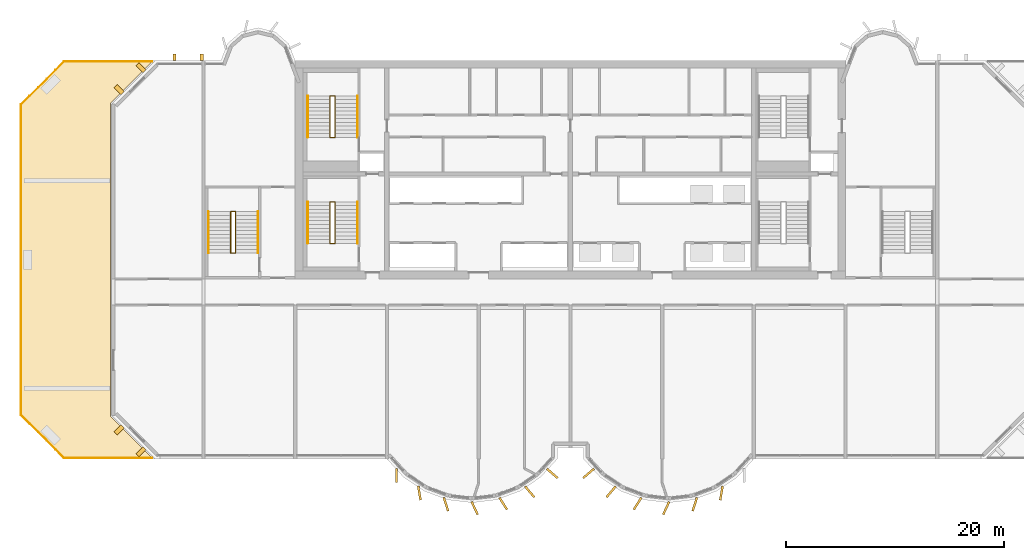
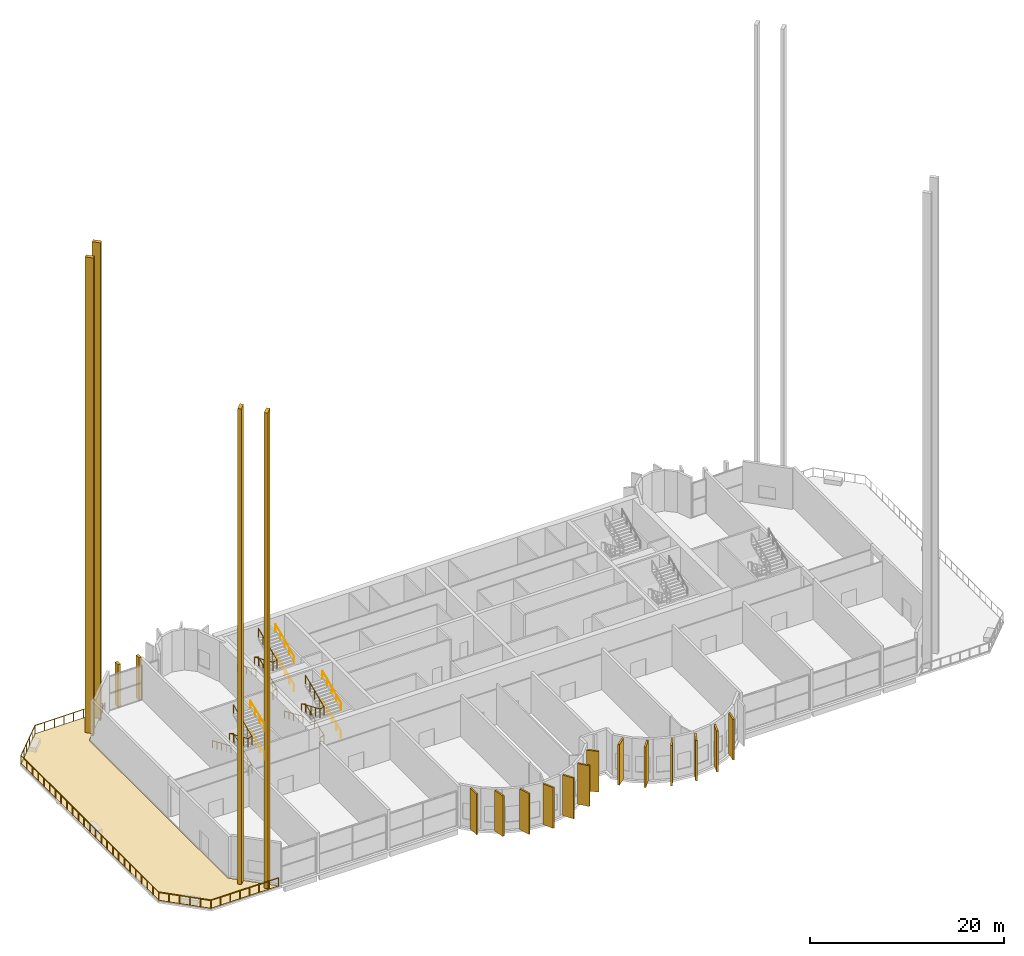
# One storey, part 16 of 19: 20 coverings, 13 railings.
"""IFC4 building model written with IfcOpenShell, lengths in metres."""

from ifc_helpers import new_model, si_unit, direction, frame, origin, origin_2d, place, context, subcontext, project, spatial, polyline, rectangle, circle, outline, extrude, source, transform, mapped, material, layer, layer_set, material_profile, profile_set, type_object, element, save


model = new_model("IFC4")

# Units and contexts
model_context = context("Model", 3, precision=1e-05, world=origin(), true_north=direction((0.0, 1.0)))
body_context = subcontext(model_context, "Body", "Model", "MODEL_VIEW")
ifc_project = project(units=[si_unit("LENGTHUNIT", "METRE"), si_unit("AREAUNIT", "SQUARE_METRE"), si_unit("VOLUMEUNIT", "CUBIC_METRE"), si_unit("PLANEANGLEUNIT", "RADIAN"), si_unit("MASSUNIT", "GRAM", prefix="KILO")], contexts=[model_context])

# Site, building, storey
site_placement = place(None, origin())
site = spatial("IfcSite", under=ifc_project, at=site_placement, CompositionType="ELEMENT")
building_placement = place(site_placement, origin())
building = spatial("IfcBuilding", under=site, at=building_placement, Name="Vanashikhar Sky Hotel", CompositionType="ELEMENT")
storey_placement = place(building_placement, frame((0.0, 0.0, 146.199951171875)))
storey = spatial("IfcBuildingStorey", under=building, at=storey_placement, Name="L35", CompositionType="ELEMENT", Elevation=146.199951171875)

# Coverings
ifc_material_1 = material(Name="Concrete M60 dark", Category="concrete")
ifc_material_profile_1 = material_profile(ifc_material_1, rectangle(XDim=1.300048828125, YDim=0.199951171875, at=origin_2d()))
ifc_profile_set_1 = profile_set([ifc_material_profile_1], Name="Fin 1300 x 200")
covering_type_1 = type_object("IfcCoveringType", Name="Fin 1300 x 200", PredefinedType="CLADDING", material=ifc_profile_set_1)
shared_shape_1 = source(origin(), body_context, "Body", "SweptSolid", [
    extrude(rectangle(XDim=1.300048828125, YDim=0.199951171875, at=origin_2d()), origin(), (0.0, 0.0, 1.0), 5.1201171875),
])
for number, where, z_axis, x_axis, name in (
    (1, (34.482421875, 3.992919921875, 0.0), (0.0, 0.0, 1.0), (0.011588726826, -0.999932848451, 0.0), "Fin F1-1"),
    (2, (36.572509765625, 2.3779296875, 0.0), (0.0, 0.0, 1.0), (0.16989991575, -0.985461322746, 0.0), "Fin F1-2"),
    (3, (39.00830078125, 1.35693359375, 0.0), (0.0, 0.0, 1.0), (0.303966551867, -0.952682704444, 0.0), "Fin F1-3"),
    (4, (41.63232421875, 1.00146484375, 0.0), (0.0, 0.0, 1.0), (0.422618261741, -0.906307787037, 0.0), "Fin F1-4"),
    (5, (44.251953125, 1.416015625, 0.0), (0.0, 0.0, 1.0), (0.534411358496, -0.845224526331, 0.0), "Fin F1-5"),
    (6, (46.676025390625, 2.5, 0.0), (0.0, 0.0, 1.0), (0.645697609467, -0.763593214433, 0.0), "Fin F1-6"),
    (7, (48.7412109375, 4.1845703125, 0.0), (0.0, 0.0, 1.0), (0.758543912032, -0.65162192529, 0.0), "Fin F1-7"),
    (8, (52.058837890625, 4.1845703125, 0.0), (0.0, 0.0, 1.0), (-0.758543912032, -0.65162192529, 0.0), "Fin F2-1"),
    (9, (54.123779296875, 2.5, 0.0), (0.0, 0.0, 1.0), (-0.645697609467, -0.763593214433, 0.0), "Fin F2-2"),
    (10, (56.547119140625, 1.416015625, 0.0), (0.0, 0.0, 1.0), (-0.534411358496, -0.845224526331, 0.0), "Fin F2-3"),
    (11, (59.16748046875, 1.00146484375, 0.0), (0.0, 0.0, 1.0), (-0.422618261741, -0.906307787037, 0.0), "Fin F2-4"),
    (12, (61.790771484375, 1.35693359375, 0.0), (0.0, 0.0, 1.0), (-0.303966551867, -0.952682704444, 0.0), "Fin F2-5"),
    (13, (64.2275390625, 2.3779296875, 0.0), (0.0, 0.0, 1.0), (-0.16989991575, -0.985461322746, 0.0), "Fin F2-6"),
):
    element("IfcCovering", number, at=place(storey_placement, frame(where, z_axis=z_axis, x_axis=x_axis)), inside=storey, type_object=covering_type_1, Name=name, PredefinedType="CLADDING", context=body_context, shape_type="MappedRepresentation", body=[
        mapped(shared_shape_1, transform((0.0, 0.0, 0.0), scale=1.0)),
    ])

# Railing
ifc_material_2 = material(Name="Stainless steel 316", Category="steel")
railing_type_1 = type_object("IfcRailingType", Name="Terrace guard 1100", PredefinedType="GUARDRAIL", material=ifc_material_2)
shared_shape_2 = source(origin(), body_context, "Body", "SweptSolid", [
    extrude(circle(Radius=0.02392578125, at=origin_2d()), frame((0.0, 0.0, 1.076171875), z_axis=(-1.0, 0.0, 0.0), x_axis=(0.0, -1.0, 0.0)), (0.0, 0.0, 1.0), 8.0576171875),
    extrude(circle(Radius=0.02392578125, at=origin_2d()), frame((-8.0576171875, 0.0, 1.076171875), z_axis=(-0.707106781187, 0.707106781187, 0.0), x_axis=(-0.707106781187, -0.707106781187, 0.0)), (0.0, 0.0, 1.0), 5.572509765625),
    extrude(circle(Radius=0.02392578125, at=origin_2d()), frame((-11.998046875, 3.9404296875, 1.076171875), z_axis=(0.0, 1.0, 0.0), x_axis=(-1.0, 0.0, 0.0)), (0.0, 0.0, 1.0), 28.4150390625),
    extrude(circle(Radius=0.02392578125, at=origin_2d()), frame((-11.998046875, 32.35546875, 1.076171875), z_axis=(0.707106781187, 0.707106781187, 0.0), x_axis=(-0.707106781187, 0.707106781187, 0.0)), (0.0, 0.0, 1.0), 5.572509765625),
    extrude(circle(Radius=0.02392578125, at=origin_2d()), frame((-8.0576171875, 36.2958984375, 1.076171875), z_axis=(1.0, 0.0, 0.0), x_axis=(0.0, 1.0, 0.0)), (0.0, 0.0, 1.0), 8.0576171875),
    extrude(circle(Radius=0.02099609375, at=origin_2d()), origin(), (0.0, 0.0, 1.0), 1.052001953125),
    extrude(circle(Radius=0.02099609375, at=origin_2d()), frame((-1.151123046875, 0.0, 0.0)), (0.0, 0.0, 1.0), 1.052001953125),
    extrude(circle(Radius=0.02099609375, at=origin_2d()), frame((-2.30224609375, 0.0, 0.0)), (0.0, 0.0, 1.0), 1.052001953125),
    extrude(circle(Radius=0.02099609375, at=origin_2d()), frame((-3.453369140625, 0.0, 0.0)), (0.0, 0.0, 1.0), 1.052001953125),
    extrude(circle(Radius=0.02099609375, at=origin_2d()), frame((-4.604248046875, 0.0, 0.0)), (0.0, 0.0, 1.0), 1.052001953125),
    extrude(circle(Radius=0.02099609375, at=origin_2d()), frame((-5.75537109375, 0.0, 0.0)), (0.0, 0.0, 1.0), 1.052001953125),
    extrude(circle(Radius=0.02099609375, at=origin_2d()), frame((-6.906494140625, 0.0, 0.0)), (0.0, 0.0, 1.0), 1.052001953125),
    extrude(circle(Radius=0.02099609375, at=origin_2d()), frame((-8.0576171875, 0.0, 0.0)), (0.0, 0.0, 1.0), 1.052001953125),
    extrude(circle(Radius=0.02099609375, at=origin_2d()), frame((-8.845703125, 0.7880859375, 0.0)), (0.0, 0.0, 1.0), 1.052001953125),
    extrude(circle(Radius=0.02099609375, at=origin_2d()), frame((-9.6337890625, 1.576171875, 0.0)), (0.0, 0.0, 1.0), 1.052001953125),
    extrude(circle(Radius=0.02099609375, at=origin_2d()), frame((-10.421875, 2.3642578125, 0.0)), (0.0, 0.0, 1.0), 1.052001953125),
    extrude(circle(Radius=0.02099609375, at=origin_2d()), frame((-11.2099609375, 3.15234375, 0.0)), (0.0, 0.0, 1.0), 1.052001953125),
    extrude(circle(Radius=0.02099609375, at=origin_2d()), frame((-11.998046875, 3.9404296875, 0.0)), (0.0, 0.0, 1.0), 1.052001953125),
    extrude(circle(Radius=0.02099609375, at=origin_2d()), frame((-11.998046875, 5.12451171875, 0.0)), (0.0, 0.0, 1.0), 1.052001953125),
    extrude(circle(Radius=0.02099609375, at=origin_2d()), frame((-11.998046875, 6.308349609375, 0.0)), (0.0, 0.0, 1.0), 1.052001953125),
    extrude(circle(Radius=0.02099609375, at=origin_2d()), frame((-11.998046875, 7.4921875, 0.0)), (0.0, 0.0, 1.0), 1.052001953125),
    extrude(circle(Radius=0.02099609375, at=origin_2d()), frame((-11.998046875, 8.67626953125, 0.0)), (0.0, 0.0, 1.0), 1.052001953125),
    extrude(circle(Radius=0.02099609375, at=origin_2d()), frame((-11.998046875, 9.8603515625, 0.0)), (0.0, 0.0, 1.0), 1.052001953125),
    extrude(circle(Radius=0.02099609375, at=origin_2d()), frame((-11.998046875, 11.044189453125, 0.0)), (0.0, 0.0, 1.0), 1.052001953125),
    extrude(circle(Radius=0.02099609375, at=origin_2d()), frame((-11.998046875, 12.22802734375, 0.0)), (0.0, 0.0, 1.0), 1.052001953125),
    extrude(circle(Radius=0.02099609375, at=origin_2d()), frame((-11.998046875, 13.412109375, 0.0)), (0.0, 0.0, 1.0), 1.052001953125),
    extrude(circle(Radius=0.02099609375, at=origin_2d()), frame((-11.998046875, 14.59619140625, 0.0)), (0.0, 0.0, 1.0), 1.052001953125),
    extrude(circle(Radius=0.02099609375, at=origin_2d()), frame((-11.998046875, 15.780029296875, 0.0)), (0.0, 0.0, 1.0), 1.052001953125),
    extrude(circle(Radius=0.02099609375, at=origin_2d()), frame((-11.998046875, 16.9638671875, 0.0)), (0.0, 0.0, 1.0), 1.052001953125),
    extrude(circle(Radius=0.02099609375, at=origin_2d()), frame((-11.998046875, 18.14794921875, 0.0)), (0.0, 0.0, 1.0), 1.052001953125),
    extrude(circle(Radius=0.02099609375, at=origin_2d()), frame((-11.998046875, 19.33203125, 0.0)), (0.0, 0.0, 1.0), 1.052001953125),
    extrude(circle(Radius=0.02099609375, at=origin_2d()), frame((-11.998046875, 20.515869140625, 0.0)), (0.0, 0.0, 1.0), 1.052001953125),
    extrude(circle(Radius=0.02099609375, at=origin_2d()), frame((-11.998046875, 21.69970703125, 0.0)), (0.0, 0.0, 1.0), 1.052001953125),
    extrude(circle(Radius=0.02099609375, at=origin_2d()), frame((-11.998046875, 22.8837890625, 0.0)), (0.0, 0.0, 1.0), 1.052001953125),
    extrude(circle(Radius=0.02099609375, at=origin_2d()), frame((-11.998046875, 24.06787109375, 0.0)), (0.0, 0.0, 1.0), 1.052001953125),
    extrude(circle(Radius=0.02099609375, at=origin_2d()), frame((-11.998046875, 25.251708984375, 0.0)), (0.0, 0.0, 1.0), 1.052001953125),
    extrude(circle(Radius=0.02099609375, at=origin_2d()), frame((-11.998046875, 26.435546875, 0.0)), (0.0, 0.0, 1.0), 1.052001953125),
    extrude(circle(Radius=0.02099609375, at=origin_2d()), frame((-11.998046875, 27.61962890625, 0.0)), (0.0, 0.0, 1.0), 1.052001953125),
    extrude(circle(Radius=0.02099609375, at=origin_2d()), frame((-11.998046875, 28.8037109375, 0.0)), (0.0, 0.0, 1.0), 1.052001953125),
    extrude(circle(Radius=0.02099609375, at=origin_2d()), frame((-11.998046875, 29.987548828125, 0.0)), (0.0, 0.0, 1.0), 1.052001953125),
    extrude(circle(Radius=0.02099609375, at=origin_2d()), frame((-11.998046875, 31.17138671875, 0.0)), (0.0, 0.0, 1.0), 1.052001953125),
    extrude(circle(Radius=0.02099609375, at=origin_2d()), frame((-11.998046875, 32.35546875, 0.0)), (0.0, 0.0, 1.0), 1.052001953125),
    extrude(circle(Radius=0.02099609375, at=origin_2d()), frame((-11.2099609375, 33.1435546875, 0.0)), (0.0, 0.0, 1.0), 1.052001953125),
    extrude(circle(Radius=0.02099609375, at=origin_2d()), frame((-10.421875, 33.931640625, 0.0)), (0.0, 0.0, 1.0), 1.052001953125),
    extrude(circle(Radius=0.02099609375, at=origin_2d()), frame((-9.6337890625, 34.7197265625, 0.0)), (0.0, 0.0, 1.0), 1.052001953125),
    extrude(circle(Radius=0.02099609375, at=origin_2d()), frame((-8.845703125, 35.5078125, 0.0)), (0.0, 0.0, 1.0), 1.052001953125),
    extrude(circle(Radius=0.02099609375, at=origin_2d()), frame((-8.0576171875, 36.2958984375, 0.0)), (0.0, 0.0, 1.0), 1.052001953125),
    extrude(circle(Radius=0.02099609375, at=origin_2d()), frame((-6.906494140625, 36.2958984375, 0.0)), (0.0, 0.0, 1.0), 1.052001953125),
    extrude(circle(Radius=0.02099609375, at=origin_2d()), frame((-5.75537109375, 36.2958984375, 0.0)), (0.0, 0.0, 1.0), 1.052001953125),
    extrude(circle(Radius=0.02099609375, at=origin_2d()), frame((-4.604248046875, 36.2958984375, 0.0)), (0.0, 0.0, 1.0), 1.052001953125),
    extrude(circle(Radius=0.02099609375, at=origin_2d()), frame((-3.453369140625, 36.2958984375, 0.0)), (0.0, 0.0, 1.0), 1.052001953125),
    extrude(circle(Radius=0.02099609375, at=origin_2d()), frame((-2.30224609375, 36.2958984375, 0.0)), (0.0, 0.0, 1.0), 1.052001953125),
    extrude(circle(Radius=0.02099609375, at=origin_2d()), frame((-1.151123046875, 36.2958984375, 0.0)), (0.0, 0.0, 1.0), 1.052001953125),
    extrude(circle(Radius=0.02099609375, at=origin_2d()), frame((0.0, 36.2958984375, 0.0)), (0.0, 0.0, 1.0), 1.052001953125),
])
railing_1_placement = place(storey_placement, frame((12.10009765625, 5.60205078125, -0.050048828125)))
element("IfcRailing", 14, at=railing_1_placement, inside=storey, type_object=railing_type_1, Name="Terrace guard", PredefinedType="GUARDRAIL", context=body_context, shape_type="MappedRepresentation", body=[
    mapped(shared_shape_2, transform((0.0, 0.0, 0.0), scale=1.0)),
])

# Coverings
ifc_material_profile_2 = material_profile(ifc_material_1, rectangle(XDim=0.60009765625, YDim=0.300048828125, at=origin_2d()))
ifc_profile_set_2 = profile_set([ifc_material_profile_2], Name="Rear rib 600 x 300")
covering_type_2 = type_object("IfcCoveringType", Name="Rear rib 600 x 300", PredefinedType="CLADDING", material=ifc_profile_set_2)
shared_shape_3 = source(origin(), body_context, "Body", "SweptSolid", [
    extrude(rectangle(XDim=0.60009765625, YDim=0.300048828125, at=origin_2d()), origin(), (0.0, 0.0, 1.0), 5.400146484375),
])
for number, where, z_axis, x_axis, name in (
    (15, (14.14990234375, 42.300048828125, -0.280029296875), (0.0, 0.0, 1.0), (0.0, 1.0, 0.0), "Rear rib"),
    (16, (16.64990234375, 42.300048828125, -0.280029296875), (0.0, 0.0, 1.0), (0.0, 1.0, 0.0), "Rear rib"),
):
    element("IfcCovering", number, at=place(storey_placement, frame(where, z_axis=z_axis, x_axis=x_axis)), inside=storey, type_object=covering_type_2, Name=name, PredefinedType="CLADDING", context=body_context, shape_type="MappedRepresentation", body=[
        mapped(shared_shape_3, transform((0.0, 0.0, 0.0), scale=1.0)),
    ])
ifc_material_profile_3 = material_profile(ifc_material_1, rectangle(XDim=0.89990234375, YDim=0.39990234375, at=origin_2d()))
ifc_profile_set_3 = profile_set([ifc_material_profile_3], Name="Chamfer fin 900 x 400")
covering_type_3 = type_object("IfcCoveringType", Name="Chamfer fin 900 x 400", PredefinedType="CLADDING", material=ifc_profile_set_3)
shared_shape_4 = source(origin(), body_context, "Body", "SweptSolid", [
    extrude(rectangle(XDim=0.89990234375, YDim=0.39990234375, at=origin_2d()), origin(), (0.0, 0.0, 1.0), 60.2001953125),
])
for number, where, z_axis, x_axis, name in (
    (17, (11.081787109375, 41.318115234375, -0.280029296875), (0.0, 0.0, 1.0), (-0.707106781187, 0.707106781187, 0.0), "Chamfer fin"),
    (18, (9.081787109375, 39.318115234375, -0.280029296875), (0.0, 0.0, 1.0), (-0.707106781187, 0.707106781187, 0.0), "Chamfer fin"),
    (19, (9.081787109375, 8.181884765625, -0.280029296875), (0.0, 0.0, 1.0), (-0.707106781187, -0.707106781187, 0.0), "Chamfer fin"),
    (20, (11.081787109375, 6.181884765625, -0.280029296875), (0.0, 0.0, 1.0), (-0.707106781187, -0.707106781187, 0.0), "Chamfer fin"),
):
    element("IfcCovering", number, at=place(storey_placement, frame(where, z_axis=z_axis, x_axis=x_axis)), inside=storey, type_object=covering_type_3, Name=name, PredefinedType="CLADDING", context=body_context, shape_type="MappedRepresentation", body=[
        mapped(shared_shape_4, transform((0.0, 0.0, 0.0), scale=1.0)),
    ])
ifc_material_3 = material(Name="Paving stone", Category="masonry")
ifc_layer = layer(ifc_material_3, 0.050048828125)
ifc_layer_set = layer_set([ifc_layer], Name="Paving stone 50")
covering_type_4 = type_object("IfcCoveringType", Name="Paving stone 50", PredefinedType="FLOORING", material=ifc_layer_set)
shared_shape_5 = source(origin(), body_context, "Body", "SweptSolid", [
    extrude(outline(polyline([(12.105224609375, 5.6220703125), (4.05078125, 5.6220703125), (0.1220703125, 9.55078125), (0.1220703125, 37.94921875), (4.05078125, 41.8779296875), (12.105224609375, 41.8779296875), (8.278076171875, 38.05078125), (8.278076171875, 9.44921875), (12.105224609375, 5.6220703125)])), origin(), (0.0, 0.0, 1.0), 0.050048828125),
])
covering_placement = place(storey_placement, frame((0.0, 0.0, -0.050048828125)))
element("IfcCovering", 21, at=covering_placement, inside=storey, type_object=covering_type_4, Name="Terrace paving", PredefinedType="FLOORING", context=body_context, shape_type="MappedRepresentation", body=[
    mapped(shared_shape_5, transform((0.0, 0.0, 0.0), scale=1.0)),
])

# Railings
ifc_material_4 = material(Name="Steel S355", Category="steel")
railing_type_2 = type_object("IfcRailingType", Name="Stair handrail 900", PredefinedType="HANDRAIL", material=ifc_material_4)
shared_shape_6 = source(origin(), body_context, "Body", "SweptSolid", [
    extrude(circle(Radius=0.02392578125, at=origin_2d()), frame((0.0, 0.0, 0.8759765625), z_axis=(0.0, -0.917250781605, 0.398310185215), x_axis=(1.0, 0.0, 0.0)), (0.0, 0.0, 1.0), 4.142822265625),
    extrude(circle(Radius=0.02099609375, at=origin_2d()), origin(), (0.0, 0.0, 1.0), 0.851806640625),
    extrude(circle(Radius=0.02099609375, at=origin_2d()), frame((0.0, -0.949951171875, 0.41259765625)), (0.0, 0.0, 1.0), 0.851806640625),
    extrude(circle(Radius=0.02099609375, at=origin_2d()), frame((0.0, -1.89990234375, 0.8251953125)), (0.0, 0.0, 1.0), 0.851806640625),
    extrude(circle(Radius=0.02099609375, at=origin_2d()), frame((0.0, -2.85009765625, 1.237548828125)), (0.0, 0.0, 1.0), 0.851806640625),
    extrude(circle(Radius=0.02099609375, at=origin_2d()), frame((0.0, -3.800048828125, 1.650146484375)), (0.0, 0.0, 1.0), 0.851806640625),
])
for number, where, name in (
    (22, (26.35009765625, 29.050048828125, 1.949951171875), "Exit stair 1 handrail"),
    (23, (26.35009765625, 38.75, 1.949951171875), "Exit stair 5 handrail"),
):
    element("IfcRailing", number, at=place(storey_placement, frame(where)), inside=storey, type_object=railing_type_2, Name=name, PredefinedType="HANDRAIL", context=body_context, shape_type="MappedRepresentation", body=[
        mapped(shared_shape_6, transform((0.0, 0.0, 0.0), scale=1.0)),
    ])
shared_shape_7 = source(origin(), body_context, "Body", "SweptSolid", [
    extrude(circle(Radius=0.02392578125, at=origin_2d()), frame((0.0, 0.0, 0.8759765625), z_axis=(0.0, 0.917250781605, 0.398310185215), x_axis=(-1.0, 0.0, 0.0)), (0.0, 0.0, 1.0), 4.142822265625),
    extrude(circle(Radius=0.02099609375, at=origin_2d()), origin(), (0.0, 0.0, 1.0), 0.851806640625),
    extrude(circle(Radius=0.02099609375, at=origin_2d()), frame((0.0, 0.949951171875, 0.41259765625)), (0.0, 0.0, 1.0), 0.851806640625),
    extrude(circle(Radius=0.02099609375, at=origin_2d()), frame((0.0, 1.89990234375, 0.8251953125)), (0.0, 0.0, 1.0), 0.851806640625),
    extrude(circle(Radius=0.02099609375, at=origin_2d()), frame((0.0, 2.85009765625, 1.237548828125)), (0.0, 0.0, 1.0), 0.851806640625),
    extrude(circle(Radius=0.02099609375, at=origin_2d()), frame((0.0, 3.800048828125, 1.650146484375)), (0.0, 0.0, 1.0), 0.851806640625),
])
for number, where, name in (
    (24, (30.89990234375, 25.25, 3.75), "Exit stair 1 handrail"),
    (25, (30.89990234375, 34.949951171875, 3.75), "Exit stair 5 handrail"),
):
    element("IfcRailing", number, at=place(storey_placement, frame(where)), inside=storey, type_object=railing_type_2, Name=name, PredefinedType="HANDRAIL", context=body_context, shape_type="MappedRepresentation", body=[
        mapped(shared_shape_7, transform((0.0, 0.0, 0.0), scale=1.0)),
    ])
shared_shape_8 = source(origin(), body_context, "Body", "SweptSolid", [
    extrude(circle(Radius=0.02392578125, at=origin_2d()), frame((0.0, 0.0, 0.8759765625), z_axis=(0.0, 0.91727231099, 0.398260602484), x_axis=(-1.0, 0.0, 0.0)), (0.0, 0.0, 1.0), 4.142822265625),
    extrude(circle(Radius=0.02099609375, at=origin_2d()), origin(), (0.0, 0.0, 1.0), 0.851806640625),
    extrude(circle(Radius=0.02099609375, at=origin_2d()), frame((0.0, 0.949951171875, 0.41259765625)), (0.0, 0.0, 1.0), 0.851806640625),
    extrude(circle(Radius=0.02099609375, at=origin_2d()), frame((0.0, 1.89990234375, 0.824951171875)), (0.0, 0.0, 1.0), 0.851806640625),
    extrude(circle(Radius=0.02099609375, at=origin_2d()), frame((0.0, 2.85009765625, 1.2373046875)), (0.0, 0.0, 1.0), 0.851806640625),
    extrude(circle(Radius=0.02099609375, at=origin_2d()), frame((0.0, 3.800048828125, 1.64990234375)), (0.0, 0.0, 1.0), 0.851806640625),
])
for number, where, name in (
    (26, (30.89990234375, 25.25, 0.150146484375), "Exit stair 1 handrail"),
    (27, (30.89990234375, 34.949951171875, 0.150146484375), "Exit stair 5 handrail"),
):
    element("IfcRailing", number, at=place(storey_placement, frame(where)), inside=storey, type_object=railing_type_2, Name=name, PredefinedType="HANDRAIL", context=body_context, shape_type="MappedRepresentation", body=[
        mapped(shared_shape_8, transform((0.0, 0.0, 0.0), scale=1.0)),
    ])
railing_type_3 = type_object("IfcRailingType", Name="Stair guard 1100", PredefinedType="GUARDRAIL", material=ifc_material_4)
shared_shape_9 = source(origin(), body_context, "Body", "SweptSolid", [
    extrude(circle(Radius=0.02392578125, at=origin_2d()), frame((0.0, 0.0, 1.076171875), z_axis=(0.948631841254, 0.0, 0.316382094561), x_axis=(0.0, 1.0, 0.0)), (0.0, 0.0, 1.0), 0.474609375),
    extrude(circle(Radius=0.02392578125, at=origin_2d()), frame((0.4501953125, 0.0, 1.22607421875), z_axis=(0.0, 0.91727231099, 0.398260602484), x_axis=(-1.0, 0.0, 0.0)), (0.0, 0.0, 1.0), 4.142822265625),
    extrude(circle(Radius=0.02392578125, at=origin_2d()), frame((0.4501953125, 3.800048828125, 2.8759765625), z_axis=(-0.948786153043, 0.0, 0.315919033605), x_axis=(0.0, -1.0, 0.0)), (0.0, 0.0, 1.0), 0.474609375),
    extrude(circle(Radius=0.02392578125, at=origin_2d()), frame((0.0, 3.800048828125, 3.02587890625), z_axis=(0.0, -0.917250781605, 0.398310185215), x_axis=(1.0, 0.0, 0.0)), (0.0, 0.0, 1.0), 4.142822265625),
    extrude(circle(Radius=0.02392578125, at=origin_2d()), frame((0.0, 0.0, 4.67626953125), z_axis=(0.948786153043, 0.0, 0.315919033605), x_axis=(0.0, 1.0, 0.0)), (0.0, 0.0, 1.0), 0.474609375),
    extrude(circle(Radius=0.02392578125, at=origin_2d()), frame((0.4501953125, 0.0, 4.826171875), z_axis=(0.0, 0.917250781605, 0.398310185215), x_axis=(-1.0, 0.0, 0.0)), (0.0, 0.0, 1.0), 4.142822265625),
    extrude(circle(Radius=0.02099609375, at=origin_2d()), origin(), (0.0, 0.0, 1.0), 1.052001953125),
    extrude(circle(Radius=0.02099609375, at=origin_2d()), frame((0.4501953125, 0.0, 0.150146484375)), (0.0, 0.0, 1.0), 1.052001953125),
    extrude(circle(Radius=0.02099609375, at=origin_2d()), frame((0.4501953125, 0.949951171875, 0.5625)), (0.0, 0.0, 1.0), 1.052001953125),
    extrude(circle(Radius=0.02099609375, at=origin_2d()), frame((0.4501953125, 1.89990234375, 0.97509765625)), (0.0, 0.0, 1.0), 1.052001953125),
    extrude(circle(Radius=0.02099609375, at=origin_2d()), frame((0.4501953125, 2.85009765625, 1.3876953125)), (0.0, 0.0, 1.0), 1.052001953125),
    extrude(circle(Radius=0.02099609375, at=origin_2d()), frame((0.4501953125, 3.800048828125, 1.800048828125)), (0.0, 0.0, 1.0), 1.052001953125),
    extrude(circle(Radius=0.02099609375, at=origin_2d()), frame((0.0, 3.800048828125, 1.949951171875)), (0.0, 0.0, 1.0), 1.052001953125),
    extrude(circle(Radius=0.02099609375, at=origin_2d()), frame((0.0, 2.85009765625, 2.362548828125)), (0.0, 0.0, 1.0), 1.052001953125),
    extrude(circle(Radius=0.02099609375, at=origin_2d()), frame((0.0, 1.89990234375, 2.77490234375)), (0.0, 0.0, 1.0), 1.052001953125),
    extrude(circle(Radius=0.02099609375, at=origin_2d()), frame((0.0, 0.949951171875, 3.1875)), (0.0, 0.0, 1.0), 1.052001953125),
    extrude(circle(Radius=0.02099609375, at=origin_2d()), frame((0.0, 0.0, 3.60009765625)), (0.0, 0.0, 1.0), 1.052001953125),
    extrude(circle(Radius=0.02099609375, at=origin_2d()), frame((0.4501953125, 0.0, 3.75)), (0.0, 0.0, 1.0), 1.052001953125),
    extrude(circle(Radius=0.02099609375, at=origin_2d()), frame((0.4501953125, 0.949951171875, 4.16259765625)), (0.0, 0.0, 1.0), 1.052001953125),
    extrude(circle(Radius=0.02099609375, at=origin_2d()), frame((0.4501953125, 1.89990234375, 4.5751953125)), (0.0, 0.0, 1.0), 1.052001953125),
    extrude(circle(Radius=0.02099609375, at=origin_2d()), frame((0.4501953125, 2.85009765625, 4.987548828125)), (0.0, 0.0, 1.0), 1.052001953125),
    extrude(circle(Radius=0.02099609375, at=origin_2d()), frame((0.4501953125, 3.800048828125, 5.400146484375)), (0.0, 0.0, 1.0), 1.052001953125),
])
for number, where, name in (
    (28, (28.39990234375, 25.25, 0.0), "Exit stair 1 guard"),
    (29, (28.39990234375, 34.949951171875, 0.0), "Exit stair 5 guard"),
):
    element("IfcRailing", number, at=place(storey_placement, frame(where)), inside=storey, type_object=railing_type_3, Name=name, PredefinedType="GUARDRAIL", context=body_context, shape_type="MappedRepresentation", body=[
        mapped(shared_shape_9, transform((0.0, 0.0, 0.0), scale=1.0)),
    ])
shared_shape_10 = source(origin(), body_context, "Body", "SweptSolid", [
    extrude(circle(Radius=0.02392578125, at=origin_2d()), frame((0.0, 0.0, 0.8759765625), z_axis=(0.0, -0.917241431489, 0.398331716489), x_axis=(1.0, 0.0, 0.0)), (0.0, 0.0, 1.0), 4.142578125),
    extrude(circle(Radius=0.02099609375, at=origin_2d()), origin(), (0.0, 0.0, 1.0), 0.851806640625),
    extrude(circle(Radius=0.02099609375, at=origin_2d()), frame((0.0, -0.949951171875, 0.41259765625)), (0.0, 0.0, 1.0), 0.851806640625),
    extrude(circle(Radius=0.02099609375, at=origin_2d()), frame((0.0, -1.89990234375, 0.8251953125)), (0.0, 0.0, 1.0), 0.851806640625),
    extrude(circle(Radius=0.02099609375, at=origin_2d()), frame((0.0, -2.849853515625, 1.237548828125)), (0.0, 0.0, 1.0), 0.851806640625),
    extrude(circle(Radius=0.02099609375, at=origin_2d()), frame((0.0, -3.7998046875, 1.650146484375)), (0.0, 0.0, 1.0), 0.851806640625),
])
railing_2_placement = place(storey_placement, frame((17.25, 28.14990234375, 1.949951171875)))
element("IfcRailing", 30, at=railing_2_placement, inside=storey, type_object=railing_type_2, Name="Exit stair 3 handrail", PredefinedType="HANDRAIL", context=body_context, shape_type="MappedRepresentation", body=[
    mapped(shared_shape_10, transform((0.0, 0.0, 0.0), scale=1.0)),
])
shared_shape_11 = source(origin(), body_context, "Body", "SweptSolid", [
    extrude(circle(Radius=0.02392578125, at=origin_2d()), frame((0.0, 0.0, 0.8759765625), z_axis=(0.0, 0.917241431489, 0.398331716489), x_axis=(-1.0, 0.0, 0.0)), (0.0, 0.0, 1.0), 4.142578125),
    extrude(circle(Radius=0.02099609375, at=origin_2d()), origin(), (0.0, 0.0, 1.0), 0.851806640625),
    extrude(circle(Radius=0.02099609375, at=origin_2d()), frame((0.0, 0.949951171875, 0.41259765625)), (0.0, 0.0, 1.0), 0.851806640625),
    extrude(circle(Radius=0.02099609375, at=origin_2d()), frame((0.0, 1.89990234375, 0.8251953125)), (0.0, 0.0, 1.0), 0.851806640625),
    extrude(circle(Radius=0.02099609375, at=origin_2d()), frame((0.0, 2.849853515625, 1.237548828125)), (0.0, 0.0, 1.0), 0.851806640625),
    extrude(circle(Radius=0.02099609375, at=origin_2d()), frame((0.0, 3.7998046875, 1.650146484375)), (0.0, 0.0, 1.0), 0.851806640625),
])
railing_3_placement = place(storey_placement, frame((21.800048828125, 24.35009765625, 3.75)))
element("IfcRailing", 31, at=railing_3_placement, inside=storey, type_object=railing_type_2, Name="Exit stair 3 handrail", PredefinedType="HANDRAIL", context=body_context, shape_type="MappedRepresentation", body=[
    mapped(shared_shape_11, transform((0.0, 0.0, 0.0), scale=1.0)),
])
shared_shape_12 = source(origin(), body_context, "Body", "SweptSolid", [
    extrude(circle(Radius=0.02392578125, at=origin_2d()), frame((0.0, 0.0, 0.8759765625), z_axis=(0.0, 0.917262962982, 0.398282132089), x_axis=(-1.0, 0.0, 0.0)), (0.0, 0.0, 1.0), 4.142578125),
    extrude(circle(Radius=0.02099609375, at=origin_2d()), origin(), (0.0, 0.0, 1.0), 0.851806640625),
    extrude(circle(Radius=0.02099609375, at=origin_2d()), frame((0.0, 0.949951171875, 0.41259765625)), (0.0, 0.0, 1.0), 0.851806640625),
    extrude(circle(Radius=0.02099609375, at=origin_2d()), frame((0.0, 1.89990234375, 0.824951171875)), (0.0, 0.0, 1.0), 0.851806640625),
    extrude(circle(Radius=0.02099609375, at=origin_2d()), frame((0.0, 2.849853515625, 1.2373046875)), (0.0, 0.0, 1.0), 0.851806640625),
    extrude(circle(Radius=0.02099609375, at=origin_2d()), frame((0.0, 3.7998046875, 1.64990234375)), (0.0, 0.0, 1.0), 0.851806640625),
])
railing_4_placement = place(storey_placement, frame((21.800048828125, 24.35009765625, 0.150146484375)))
element("IfcRailing", 32, at=railing_4_placement, inside=storey, type_object=railing_type_2, Name="Exit stair 3 handrail", PredefinedType="HANDRAIL", context=body_context, shape_type="MappedRepresentation", body=[
    mapped(shared_shape_12, transform((0.0, 0.0, 0.0), scale=1.0)),
])
shared_shape_13 = source(origin(), body_context, "Body", "SweptSolid", [
    extrude(circle(Radius=0.02392578125, at=origin_2d()), frame((0.0, 0.0, 1.076171875), z_axis=(0.948580309067, 0.0, 0.316536565424), x_axis=(0.0, 1.0, 0.0)), (0.0, 0.0, 1.0), 0.474365234375),
    extrude(circle(Radius=0.02392578125, at=origin_2d()), frame((0.449951171875, 0.0, 1.22607421875), z_axis=(0.0, 0.917262962982, 0.398282132089), x_axis=(-1.0, 0.0, 0.0)), (0.0, 0.0, 1.0), 4.142578125),
    extrude(circle(Radius=0.02392578125, at=origin_2d()), frame((0.449951171875, 3.7998046875, 2.8759765625), z_axis=(-0.948734763221, 0.0, 0.316073328604), x_axis=(0.0, -1.0, 0.0)), (0.0, 0.0, 1.0), 0.474365234375),
    extrude(circle(Radius=0.02392578125, at=origin_2d()), frame((0.0, 3.7998046875, 3.02587890625), z_axis=(0.0, -0.917241431489, 0.398331716489), x_axis=(1.0, 0.0, 0.0)), (0.0, 0.0, 1.0), 4.142578125),
    extrude(circle(Radius=0.02392578125, at=origin_2d()), frame((0.0, 0.0, 4.67626953125), z_axis=(0.948734763221, 0.0, 0.316073328604), x_axis=(0.0, 1.0, 0.0)), (0.0, 0.0, 1.0), 0.474365234375),
    extrude(circle(Radius=0.02392578125, at=origin_2d()), frame((0.449951171875, 0.0, 4.826171875), z_axis=(0.0, 0.917241431489, 0.398331716489), x_axis=(-1.0, 0.0, 0.0)), (0.0, 0.0, 1.0), 4.142578125),
    extrude(circle(Radius=0.02099609375, at=origin_2d()), origin(), (0.0, 0.0, 1.0), 1.052001953125),
    extrude(circle(Radius=0.02099609375, at=origin_2d()), frame((0.449951171875, 0.0, 0.150146484375)), (0.0, 0.0, 1.0), 1.052001953125),
    extrude(circle(Radius=0.02099609375, at=origin_2d()), frame((0.449951171875, 0.949951171875, 0.5625)), (0.0, 0.0, 1.0), 1.052001953125),
    extrude(circle(Radius=0.02099609375, at=origin_2d()), frame((0.449951171875, 1.89990234375, 0.97509765625)), (0.0, 0.0, 1.0), 1.052001953125),
    extrude(circle(Radius=0.02099609375, at=origin_2d()), frame((0.449951171875, 2.849853515625, 1.3876953125)), (0.0, 0.0, 1.0), 1.052001953125),
    extrude(circle(Radius=0.02099609375, at=origin_2d()), frame((0.449951171875, 3.7998046875, 1.800048828125)), (0.0, 0.0, 1.0), 1.052001953125),
    extrude(circle(Radius=0.02099609375, at=origin_2d()), frame((0.0, 3.7998046875, 1.949951171875)), (0.0, 0.0, 1.0), 1.052001953125),
    extrude(circle(Radius=0.02099609375, at=origin_2d()), frame((0.0, 2.849853515625, 2.362548828125)), (0.0, 0.0, 1.0), 1.052001953125),
    extrude(circle(Radius=0.02099609375, at=origin_2d()), frame((0.0, 1.89990234375, 2.77490234375)), (0.0, 0.0, 1.0), 1.052001953125),
    extrude(circle(Radius=0.02099609375, at=origin_2d()), frame((0.0, 0.949951171875, 3.1875)), (0.0, 0.0, 1.0), 1.052001953125),
    extrude(circle(Radius=0.02099609375, at=origin_2d()), frame((0.0, 0.0, 3.60009765625)), (0.0, 0.0, 1.0), 1.052001953125),
    extrude(circle(Radius=0.02099609375, at=origin_2d()), frame((0.449951171875, 0.0, 3.75)), (0.0, 0.0, 1.0), 1.052001953125),
    extrude(circle(Radius=0.02099609375, at=origin_2d()), frame((0.449951171875, 0.949951171875, 4.16259765625)), (0.0, 0.0, 1.0), 1.052001953125),
    extrude(circle(Radius=0.02099609375, at=origin_2d()), frame((0.449951171875, 1.89990234375, 4.5751953125)), (0.0, 0.0, 1.0), 1.052001953125),
    extrude(circle(Radius=0.02099609375, at=origin_2d()), frame((0.449951171875, 2.849853515625, 4.987548828125)), (0.0, 0.0, 1.0), 1.052001953125),
    extrude(circle(Radius=0.02099609375, at=origin_2d()), frame((0.449951171875, 3.7998046875, 5.400146484375)), (0.0, 0.0, 1.0), 1.052001953125),
])
railing_5_placement = place(storey_placement, frame((19.300048828125, 24.35009765625, 0.0)))
element("IfcRailing", 33, at=railing_5_placement, inside=storey, type_object=railing_type_3, Name="Exit stair 3 guard", PredefinedType="GUARDRAIL", context=body_context, shape_type="MappedRepresentation", body=[
    mapped(shared_shape_13, transform((0.0, 0.0, 0.0), scale=1.0)),
])

save(model, "model.ifc")
